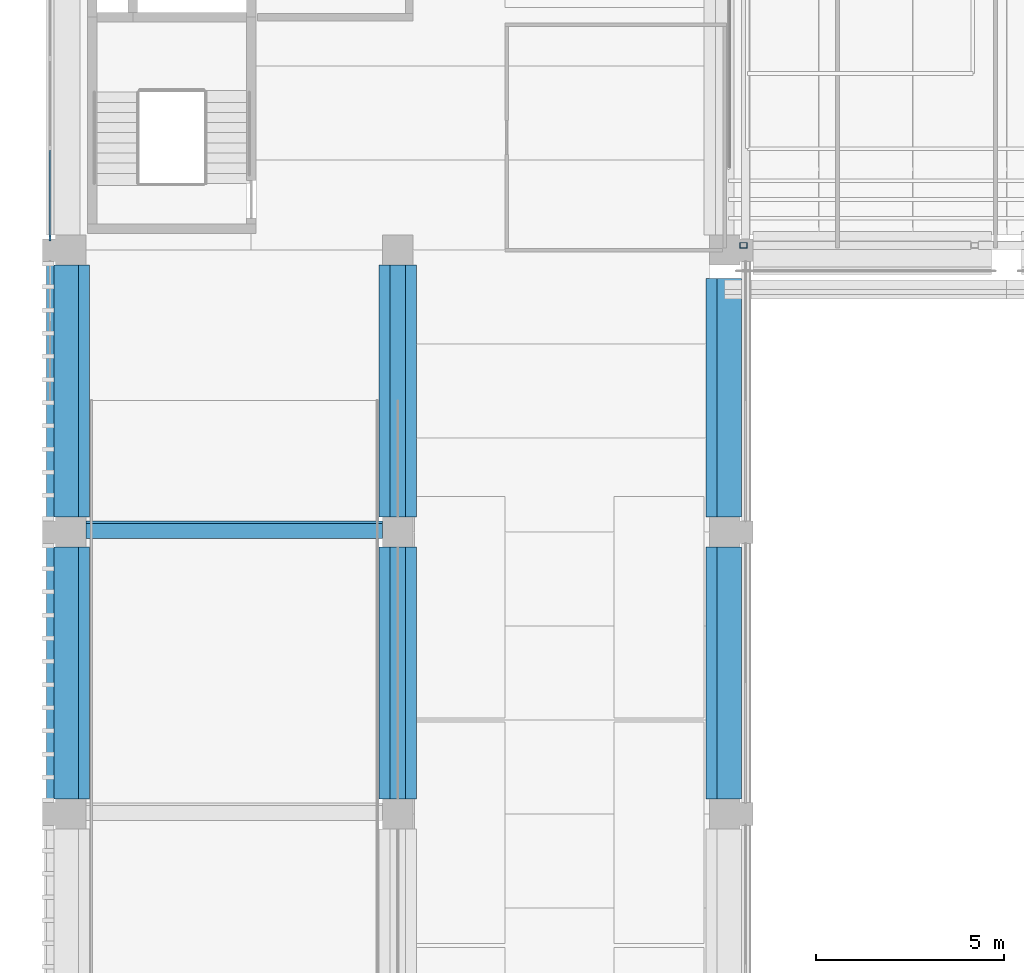
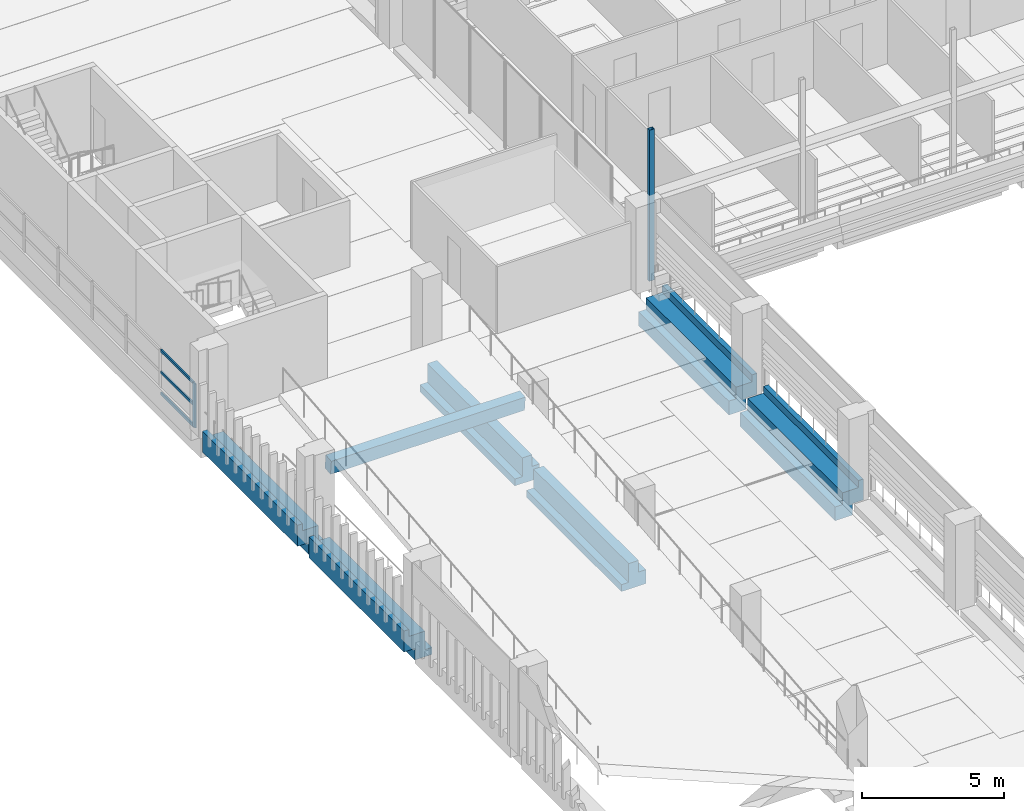
# One storey, part 3 of 62: 7 beams, 5 members, 1 element without a shape of its own.
"""IFC4 building model written with IfcOpenShell, lengths in metres."""

import ifcopenshell
import ifcopenshell.guid

model = None  # the IFC model being written
_history = None  # IfcOwnerHistory: only IFC2X3 demands one
_inside = {}  # id of a spatial element -> (the spatial element, [elements in it])
_under = {}  # id of a project, library or spatial element -> (it, [spatial elements below it])
_declared = {}  # id of a project -> (the project, [libraries it declares])
_typed = {}  # id of a type object -> (the type object, [elements of that type])
_made_of = {}  # id of a material, layer set ... -> (it, [elements and type objects made of it])


def new_model(schema):
    """Start an empty IFC model of exactly this schema.

    Asked for "IFC4X3", IfcOpenShell would pick the latest addendum, in which some entities
    have other attributes; the version numbers below select the first issue.
    IFC2X3 requires an IfcOwnerHistory on every rooted entity: one is made here for all.
    """
    global model, _history
    if schema == "IFC4X3":
        model = ifcopenshell.file(schema_version=(4, 3, 0, 0))
    else:
        model = ifcopenshell.file(schema=schema)
    _inside.clear()
    _under.clear()
    _declared.clear()
    _typed.clear()
    _made_of.clear()
    _history = None
    if model.schema == "IFC2X3":
        org = make("IfcOrganization", Name="unknown")
        user = make(
            "IfcPersonAndOrganization",
            ThePerson=make("IfcPerson", FamilyName="unknown"),
            TheOrganization=org,
        )
        app = make(
            "IfcApplication",
            ApplicationDeveloper=org,
            Version="unknown",
            ApplicationFullName="unknown",
            ApplicationIdentifier="unknown",
        )
        _history = make(
            "IfcOwnerHistory",
            OwningUser=user,
            OwningApplication=app,
            ChangeAction="ADDED",
            CreationDate=0,
        )
    return model


def make(cls, **values):
    """One entity of the class cls with the attributes given. An attribute that is None is left unset."""
    return model.create_entity(
        cls, **{name: value for name, value in values.items() if value is not None}
    )


def rooted(cls, **values):
    """An entity with a GlobalId (a new one), such as an element, a storey or a relation."""
    return make(cls, GlobalId=ifcopenshell.guid.new(), OwnerHistory=_history, **values)


def si_unit(unit_type, name, prefix=None):
    """IfcSIUnit, for example si_unit("LENGTHUNIT", "METRE", prefix="MILLI")."""
    return make("IfcSIUnit", UnitType=unit_type, Prefix=prefix, Name=name)


def assignment(units):
    """IfcUnitAssignment: the units of a project."""
    return None if units is None else make("IfcUnitAssignment", Units=units)


def point(xyz):
    """IfcCartesianPoint."""
    return None if xyz is None else make("IfcCartesianPoint", Coordinates=xyz)


def direction(xyz):
    """IfcDirection."""
    return None if xyz is None else make("IfcDirection", DirectionRatios=xyz)


def frame(location, z_axis=None, x_axis=None):
    """IfcAxis2Placement3D, a coordinate frame: its origin and axes. An axis left out is left unset."""
    return make(
        "IfcAxis2Placement3D",
        Location=point(location),
        Axis=direction(z_axis),
        RefDirection=direction(x_axis),
    )


def frame_2d(location, x_axis=None):
    """IfcAxis2Placement2D, a coordinate frame in the plane: its origin and x axis."""
    return make(
        "IfcAxis2Placement2D", Location=point(location), RefDirection=direction(x_axis)
    )


def origin():
    """The frame at (0, 0, 0) with its axes left unset."""
    return frame((0.0, 0.0, 0.0))


def origin_2d():
    """The frame at (0, 0) in the plane with its x axis left unset."""
    return frame_2d((0.0, 0.0))


def place(relative_to, where):
    """IfcLocalPlacement: puts the frame where relative to a parent placement (None: the world)."""
    return make(
        "IfcLocalPlacement", PlacementRelTo=relative_to, RelativePlacement=where
    )


def context(
    kind, dimensions, precision=None, world=None, true_north=None, identifier=None
):
    """IfcGeometricRepresentationContext, for example the 3D "Model" context."""
    return make(
        "IfcGeometricRepresentationContext",
        ContextIdentifier=identifier,
        ContextType=kind,
        CoordinateSpaceDimension=dimensions,
        Precision=precision,
        WorldCoordinateSystem=world,
        TrueNorth=true_north,
    )


def subcontext(parent, identifier, kind, view, scale=None):
    """IfcGeometricRepresentationSubContext, for example "Body" below "Model"."""
    return make(
        "IfcGeometricRepresentationSubContext",
        ContextIdentifier=identifier,
        ContextType=kind,
        ParentContext=parent,
        TargetScale=scale,
        TargetView=view,
    )


def project(units=None, contexts=None):
    """IfcProject with its units and contexts."""
    return rooted(
        "IfcProject",
        Name="project",
        RepresentationContexts=contexts,
        UnitsInContext=assignment(units),
    )


def spatial(cls, under=None, at=None, **own):
    """A site, building, storey or space (cls), placed at a placement, below another one or the project."""
    s = rooted(cls, ObjectPlacement=at, **own)
    if under is not None:
        _under.setdefault(under.id(), (under, []))[1].append(s)
    return s


def polyline(points):
    """IfcPolyline through the points."""
    return make("IfcPolyline", Points=[point(p) for p in points])


def profile(cls, at=None, kind="AREA", **sizes):
    """A parametric profile (cls). Its sizes go by their IFC names, for example OverallWidth=200.0."""
    return make(cls, ProfileType=kind, Position=at, **sizes)


def rectangle(**sizes):
    """IfcRectangleProfileDef."""
    return profile("IfcRectangleProfileDef", **sizes)


def hollow_rectangle(**sizes):
    """IfcRectangleHollowProfileDef."""
    return profile("IfcRectangleHollowProfileDef", **sizes)


def outline(outer, holes=None, kind="AREA"):
    """IfcArbitraryClosedProfileDef: a profile drawn as a closed curve; with holes, ...WithVoids."""
    if holes is None:
        return make("IfcArbitraryClosedProfileDef", ProfileType=kind, OuterCurve=outer)
    return make(
        "IfcArbitraryProfileDefWithVoids",
        ProfileType=kind,
        OuterCurve=outer,
        InnerCurves=holes,
    )


def extrude(swept, where, along, depth):
    """IfcExtrudedAreaSolid: the profile swept, set in the frame where, extruded along a direction by depth."""
    return make(
        "IfcExtrudedAreaSolid",
        SweptArea=swept,
        Position=where,
        ExtrudedDirection=direction(along),
        Depth=depth,
    )


def shape(context_of_items, identifier, shape_type, items):
    """IfcShapeRepresentation: the items that make up one representation, for example the "Body"."""
    return make(
        "IfcShapeRepresentation",
        ContextOfItems=context_of_items,
        RepresentationIdentifier=identifier,
        RepresentationType=shape_type,
        Items=items,
    )


def material(Name=None, Category=None):
    """IfcMaterial."""
    return make("IfcMaterial", Name=Name, Category=Category)


def layer(
    of_material, thickness, ventilated=None, Name=None, Category=None, Priority=None
):
    """IfcMaterialLayer: one layer of a wall or slab, of a material (None: an air gap)."""
    return make(
        "IfcMaterialLayer",
        Material=of_material,
        LayerThickness=thickness,
        IsVentilated=ventilated,
        Name=Name,
        Category=Category,
        Priority=Priority,
    )


def layer_set(layers, Name=None):
    """IfcMaterialLayerSet."""
    return make("IfcMaterialLayerSet", MaterialLayers=layers, LayerSetName=Name)


def material_profile(
    of_material, cross_section, Name=None, Category=None, Priority=None
):
    """IfcMaterialProfile: a cross section and its material."""
    return make(
        "IfcMaterialProfile",
        Name=Name,
        Material=of_material,
        Profile=cross_section,
        Priority=Priority,
        Category=Category,
    )


def profile_set(profiles, Name=None, composite=None):
    """IfcMaterialProfileSet."""
    return make(
        "IfcMaterialProfileSet",
        Name=Name,
        MaterialProfiles=profiles,
        CompositeProfile=composite,
    )


def made_of(thing, what):
    """Note that an element or type object is made of a material, layer set ...; save() writes the relation."""
    if what is not None:
        _made_of.setdefault(what.id(), (what, []))[1].append(thing)
    return thing


def type_object(cls, material=None, **own):
    """A type object (cls), such as IfcWallType, which elements share."""
    return made_of(rooted(cls, **own), material)


def element(
    cls,
    number,
    at=None,
    inside=None,
    cuts=None,
    type_object=None,
    material=None,
    context=None,
    identifier="Body",
    shape_type=None,
    held_by="IfcProductDefinitionShape",
    body=None,
    shapes=None,
    **own,
):
    """One element of the class cls, such as IfcWall. Its Tag is "e" and its number.

    at: its placement. inside: the storey or other place that contains it. cuts: it is an
    opening in that element (IfcRelVoidsElement). A single representation is given by context,
    identifier, shape_type and body (its items); several are given by shapes. held_by: the class
    of the entity that holds the representations. save() writes the other relations.
    """
    e = rooted(cls, Tag="e%d" % number, ObjectPlacement=at, **own)
    if body is not None:
        shapes = [shape(context, identifier, shape_type, body)]
    if shapes is not None:
        e.Representation = make(held_by, Representations=shapes)
    if inside is not None:
        _inside.setdefault(inside.id(), (inside, []))[1].append(e)
    if cuts is not None:
        rooted(
            "IfcRelVoidsElement", RelatingBuildingElement=cuts, RelatedOpeningElement=e
        )
    if type_object is not None:
        _typed.setdefault(type_object.id(), (type_object, []))[1].append(e)
    return made_of(e, material)


def aggregate(whole, parts):
    """IfcRelAggregates: a whole, such as a stair, and the parts it consists of."""
    return rooted("IfcRelAggregates", RelatingObject=whole, RelatedObjects=parts)


def save(model, path):
    """Write the relations noted so far, then the file.

    IfcRelAggregates (storeys below a building ...), IfcRelContainedInSpatialStructure (elements
    in a storey), IfcRelDefinesByType, IfcRelAssociatesMaterial and IfcRelDeclares: one each for
    every whole, place, type object, material and project.
    """
    for whole, parts in _under.values():
        aggregate(whole, parts)
    for where, things in _inside.values():
        rooted(
            "IfcRelContainedInSpatialStructure",
            RelatedElements=things,
            RelatingStructure=where,
        )
    for kind, things in _typed.values():
        rooted("IfcRelDefinesByType", RelatedObjects=things, RelatingType=kind)
    for what, things in _made_of.values():
        rooted("IfcRelAssociatesMaterial", RelatedObjects=things, RelatingMaterial=what)
    for by, libraries in _declared.values():
        rooted("IfcRelDeclares", RelatingContext=by, RelatedDefinitions=libraries)
    model.write(path)


model = new_model("IFC4")

# Units and contexts
model_context = context("Model", 3, precision=1e-05, world=origin(), true_north=direction((0.0, 1.0)))
body_context = subcontext(model_context, "Body", "Model", "MODEL_VIEW")
ifc_project = project(units=[si_unit("LENGTHUNIT", "METRE"), si_unit("AREAUNIT", "SQUARE_METRE"), si_unit("VOLUMEUNIT", "CUBIC_METRE"), si_unit("PLANEANGLEUNIT", "RADIAN"), si_unit("MASSUNIT", "GRAM", prefix="KILO")], contexts=[model_context])

# Site, building, storey
site_placement = place(None, origin())
site = spatial("IfcSite", under=ifc_project, at=site_placement, CompositionType="ELEMENT")
building_placement = place(site_placement, origin())
building = spatial("IfcBuilding", under=site, at=building_placement, Name="Cour d'Honneur Mobility Palace", CompositionType="ELEMENT")
storey_placement = place(building_placement, frame((0.0, 0.0, 19.300048828125)))
storey = spatial("IfcBuildingStorey", under=building, at=storey_placement, Name="L05", CompositionType="ELEMENT", Elevation=19.300048828125)

# Curtain wall, members
ifc_material_1 = material(Name="Aluminium and glass", Category="aluminium")
ifc_layer = layer(ifc_material_1, 0.10009765625)
ifc_layer_set = layer_set([ifc_layer], Name="Aluminium and glass")
curtain_wall_type = type_object("IfcCurtainWallType", Name="Curtain wall run", PredefinedType="NOTDEFINED", material=ifc_layer_set)
curtain_wall_placement = place(storey_placement, origin())
curtain_wall = element("IfcCurtainWall", 1, at=curtain_wall_placement, inside=storey, type_object=curtain_wall_type, Name="Curtain wall CW-105", PredefinedType="NOTDEFINED")
ifc_material_2 = material(Name="Aluminium", Category="aluminium")
ifc_material_profile_1 = material_profile(ifc_material_2, rectangle(XDim=0.06005859375, YDim=0.159912109375, at=origin_2d()), Name="Curtain wall mullion")
ifc_profile_set_1 = profile_set([ifc_material_profile_1], Name="Aluminium")
member_type_1 = type_object("IfcMemberType", Name="Curtain wall mullion", PredefinedType="MULLION", material=ifc_profile_set_1)
member_1_placement = place(storey_placement, frame((-0.550048828125, 45.330078125, 0.0), z_axis=(0.0, 0.0, 1.0), x_axis=(1.0, 0.0, 0.0)))
member_1 = element("IfcMember", 2, at=member_1_placement, type_object=member_type_1, Name="CW-105 mullion 8", PredefinedType="MULLION", context=body_context, shape_type="SweptSolid", body=[
    extrude(rectangle(XDim=0.06005859375, YDim=0.159912109375, at=origin_2d()), origin(), (0.0, 0.0, 1.0), 1.89990234375),
])
ifc_material_3 = material(Name="Aluminium", Category="aluminium")
ifc_material_profile_2 = material_profile(ifc_material_3, rectangle(XDim=0.06005859375, YDim=0.1201171875, at=origin_2d()), Name="Curtain wall transom")
ifc_profile_set_2 = profile_set([ifc_material_profile_2], Name="Aluminium")
member_type_2 = type_object("IfcMemberType", Name="Curtain wall transom", PredefinedType="USERDEFINED", material=ifc_profile_set_2)
member_2_placement = place(storey_placement, frame((-0.550048828125, 47.669921875, 0.030029296875), z_axis=(0.0, -1.0, 0.0), x_axis=(1.0, 0.0, 0.0)))
member_2 = element("IfcMember", 3, at=member_2_placement, type_object=member_type_2, Name="CW-105 transom 7.1", ObjectType="TRANSOM", PredefinedType="USERDEFINED", context=body_context, shape_type="SweptSolid", body=[
    extrude(rectangle(XDim=0.06005859375, YDim=0.1201171875, at=origin_2d()), origin(), (0.0, 0.0, 1.0), 2.309814453125),
])
member_3_placement = place(storey_placement, frame((-0.550048828125, 47.669921875, 0.949951171875), z_axis=(0.0, -1.0, 0.0), x_axis=(1.0, 0.0, 0.0)))
member_3 = element("IfcMember", 4, at=member_3_placement, type_object=member_type_2, Name="CW-105 transom 7.2", ObjectType="TRANSOM", PredefinedType="USERDEFINED", context=body_context, shape_type="SweptSolid", body=[
    extrude(rectangle(XDim=0.06005859375, YDim=0.1201171875, at=origin_2d()), origin(), (0.0, 0.0, 1.0), 2.309814453125),
])
member_4_placement = place(storey_placement, frame((-0.550048828125, 47.669921875, 1.869873046875), z_axis=(0.0, -1.0, 0.0), x_axis=(1.0, 0.0, 0.0)))
member_4 = element("IfcMember", 5, at=member_4_placement, type_object=member_type_2, Name="CW-105 transom 7.3", ObjectType="TRANSOM", PredefinedType="USERDEFINED", context=body_context, shape_type="SweptSolid", body=[
    extrude(rectangle(XDim=0.06005859375, YDim=0.1201171875, at=origin_2d()), origin(), (0.0, 0.0, 1.0), 2.309814453125),
])
aggregate(curtain_wall, [member_1, member_2, member_3, member_4])

# Beams
ifc_material_4 = material(Name="Concrete C45", Category="concrete")
ifc_material_profile_3 = material_profile(ifc_material_4, outline(polyline([(0.5, -1.10009765625), (0.5, -0.800048828125), (0.199951171875, -0.800048828125), (0.199951171875, 0.0), (-0.199951171875, 0.0), (-0.199951171875, -0.5), (-0.5, -0.5), (-0.5, -1.10009765625), (0.5, -1.10009765625)])), Name="Inverted Tee Beam 400x1100 ledges 300/600 plain")
ifc_profile_set_3 = profile_set([ifc_material_profile_3], Name="Concrete C45")
beam_type_1 = type_object("IfcBeamType", Name="Inverted Tee Beam 400x1100 ledges 300/600 plain", PredefinedType="T_BEAM", material=ifc_profile_set_3)
for number, where, z_axis, x_axis, name in (
    (6, (8.699951171875, 30.39990234375, 0.0), (0.0, 1.0, 0.0), (-1.0, 0.0, 0.0), "Precast beam B11 E-F L05"),
    (7, (8.699951171875, 37.89990234375, 0.0), (0.0, 1.0, 0.0), (-1.0, 0.0, 0.0), "Precast beam B11 F-G L05"),
):
    element("IfcBeam", number, at=place(storey_placement, frame(where, z_axis=z_axis, x_axis=x_axis)), inside=storey, type_object=beam_type_1, Name=name, PredefinedType="T_BEAM", context=body_context, shape_type="SweptSolid", body=[
        extrude(outline(polyline([(0.5, -1.10009765625), (0.5, -0.800048828125), (0.199951171875, -0.800048828125), (0.199951171875, 0.0), (-0.199951171875, 0.0), (-0.199951171875, -0.5), (-0.5, -0.5), (-0.5, -1.10009765625), (0.5, -1.10009765625)])), origin(), (0.0, 0.0, 1.0), 6.7001953125),
    ])
ifc_material_5 = material(Name="Concrete C45", Category="concrete")
ifc_material_profile_4 = material_profile(ifc_material_5, outline(polyline([(0.5, -1.10009765625), (0.5, -0.5), (0.199951171875, -0.5), (0.199951171875, 0.0), (-0.199951171875, 0.0), (-0.449951171875, 0.0), (-0.449951171875, 0.300048828125), (-0.64990234375, 0.300048828125), (-0.64990234375, -0.60009765625), (-0.199951171875, -0.60009765625), (-0.199951171875, -1.10009765625), (0.5, -1.10009765625)])), Name="Ledger Beam 400x1100 ledge left 600 facade right")
ifc_profile_set_4 = profile_set([ifc_material_profile_4], Name="Concrete C45")
beam_type_2 = type_object("IfcBeamType", Name="Ledger Beam 400x1100 ledge left 600 facade right", PredefinedType="BEAM", material=ifc_profile_set_4)
beam_1_placement = place(storey_placement, frame((17.39990234375, 30.39990234375, 0.0), z_axis=(0.0, 1.0, 0.0), x_axis=(-1.0, 0.0, 0.0)))
element("IfcBeam", 8, at=beam_1_placement, inside=storey, type_object=beam_type_2, Name="Precast beam B12 E-F L05", PredefinedType="BEAM", context=body_context, shape_type="SweptSolid", body=[
    extrude(outline(polyline([(0.5, -1.10009765625), (0.5, -0.5), (0.199951171875, -0.5), (0.199951171875, 0.0), (-0.199951171875, 0.0), (-0.449951171875, 0.0), (-0.449951171875, 0.300048828125), (-0.64990234375, 0.300048828125), (-0.64990234375, -0.60009765625), (-0.199951171875, -0.60009765625), (-0.199951171875, -1.10009765625), (0.5, -1.10009765625)])), origin(), (0.0, 0.0, 1.0), 6.7001953125),
])
beam_2_placement = place(storey_placement, frame((17.39990234375, 37.89990234375, 0.0), z_axis=(0.0, 1.0, 0.0), x_axis=(-1.0, 0.0, 0.0)))
element("IfcBeam", 9, at=beam_2_placement, inside=storey, type_object=beam_type_2, Name="Precast beam B12 F-G L05", PredefinedType="BEAM", context=body_context, shape_type="SweptSolid", body=[
    extrude(outline(polyline([(0.5, -1.10009765625), (0.5, -0.5), (0.199951171875, -0.5), (0.199951171875, 0.0), (-0.199951171875, 0.0), (-0.449951171875, 0.0), (-0.449951171875, 0.300048828125), (-0.64990234375, 0.300048828125), (-0.64990234375, -0.60009765625), (-0.199951171875, -0.60009765625), (-0.199951171875, -1.10009765625), (0.5, -1.10009765625)])), origin(), (0.0, 0.0, 1.0), 6.35009765625),
])
ifc_material_6 = material(Name="Concrete C45", Category="concrete")
ifc_material_profile_5 = material_profile(ifc_material_6, outline(polyline([(0.199951171875, -1.10009765625), (0.199951171875, -0.60009765625), (0.64990234375, -0.60009765625), (0.64990234375, 0.300048828125), (0.449951171875, 0.300048828125), (0.449951171875, 0.0), (0.199951171875, 0.0), (-0.199951171875, 0.0), (-0.199951171875, -0.800048828125), (-0.5, -0.800048828125), (-0.5, -1.10009765625), (0.199951171875, -1.10009765625)])), Name="Ledger Beam 400x1100 ledge right 300 facade left")
ifc_profile_set_5 = profile_set([ifc_material_profile_5], Name="Concrete C45")
beam_type_3 = type_object("IfcBeamType", Name="Ledger Beam 400x1100 ledge right 300 facade left", PredefinedType="BEAM", material=ifc_profile_set_5)
for number, where, z_axis, x_axis, name in (
    (10, (0.0, 30.39990234375, 0.0), (0.0, 1.0, 0.0), (-1.0, 0.0, 0.0), "Precast beam B6 E-F L05"),
    (11, (0.0, 37.89990234375, 0.0), (0.0, 1.0, 0.0), (-1.0, 0.0, 0.0), "Precast beam B6 F-G L05"),
):
    element("IfcBeam", number, at=place(storey_placement, frame(where, z_axis=z_axis, x_axis=x_axis)), inside=storey, type_object=beam_type_3, Name=name, PredefinedType="BEAM", context=body_context, shape_type="SweptSolid", body=[
        extrude(outline(polyline([(0.199951171875, -1.10009765625), (0.199951171875, -0.60009765625), (0.64990234375, -0.60009765625), (0.64990234375, 0.300048828125), (0.449951171875, 0.300048828125), (0.449951171875, 0.0), (0.199951171875, 0.0), (-0.199951171875, 0.0), (-0.199951171875, -0.800048828125), (-0.5, -0.800048828125), (-0.5, -1.10009765625), (0.199951171875, -1.10009765625)])), origin(), (0.0, 0.0, 1.0), 6.7001953125),
    ])

# Member
ifc_material_7 = material(Name="Steel S355", Category="steel")
ifc_material_profile_6 = material_profile(ifc_material_7, hollow_rectangle(XDim=0.14990234375, YDim=0.199951171875, WallThickness=0.008056640625, at=origin_2d()), Name="RHS 200x150x8")
ifc_profile_set_6 = profile_set([ifc_material_profile_6], Name="Steel S355")
member_type_3 = type_object("IfcMemberType", Name="Pergola post RHS 200x150x8", PredefinedType="POST", material=ifc_profile_set_6)
member_5_placement = place(storey_placement, frame((17.89990234375, 45.125, 0.0), z_axis=(0.0, 0.0, 1.0), x_axis=(0.0, 1.0, 0.0)))
element("IfcMember", 12, at=member_5_placement, inside=storey, type_object=member_type_3, Name="Pergola post FW-S1", PredefinedType="POST", context=body_context, shape_type="SweptSolid", body=[
    extrude(hollow_rectangle(XDim=0.14990234375, YDim=0.199951171875, WallThickness=0.008056640625, at=origin_2d()), origin(), (0.0, 0.0, 1.0), 6.5),
])

# Beam
ifc_material_8 = material(Name="Concrete C40", Category="concrete")
ifc_material_profile_7 = material_profile(ifc_material_8, rectangle(XDim=0.39990234375, YDim=0.60009765625, at=origin_2d()), Name="Ramp cross beam 400x600")
ifc_profile_set_7 = profile_set([ifc_material_profile_7], Name="Concrete C40")
beam_type_4 = type_object("IfcBeamType", Name="Ramp cross beam 400x600", PredefinedType="BEAM", material=ifc_profile_set_7)
beam_3_placement = place(storey_placement, frame((0.39990234375, 37.559814453125, 2.7529296875), z_axis=(1.0, 0.0, 0.0), x_axis=(0.0, 0.995037190449, 0.099503716633)))
element("IfcBeam", 13, at=beam_3_placement, inside=storey, type_object=beam_type_4, Name="Ramp cross beam SW.R5-5", PredefinedType="BEAM", context=body_context, shape_type="SweptSolid", body=[
    extrude(rectangle(XDim=0.39990234375, YDim=0.60009765625, at=origin_2d()), origin(), (0.0, 0.0, 1.0), 7.900146484375),
])

save(model, "model.ifc")
